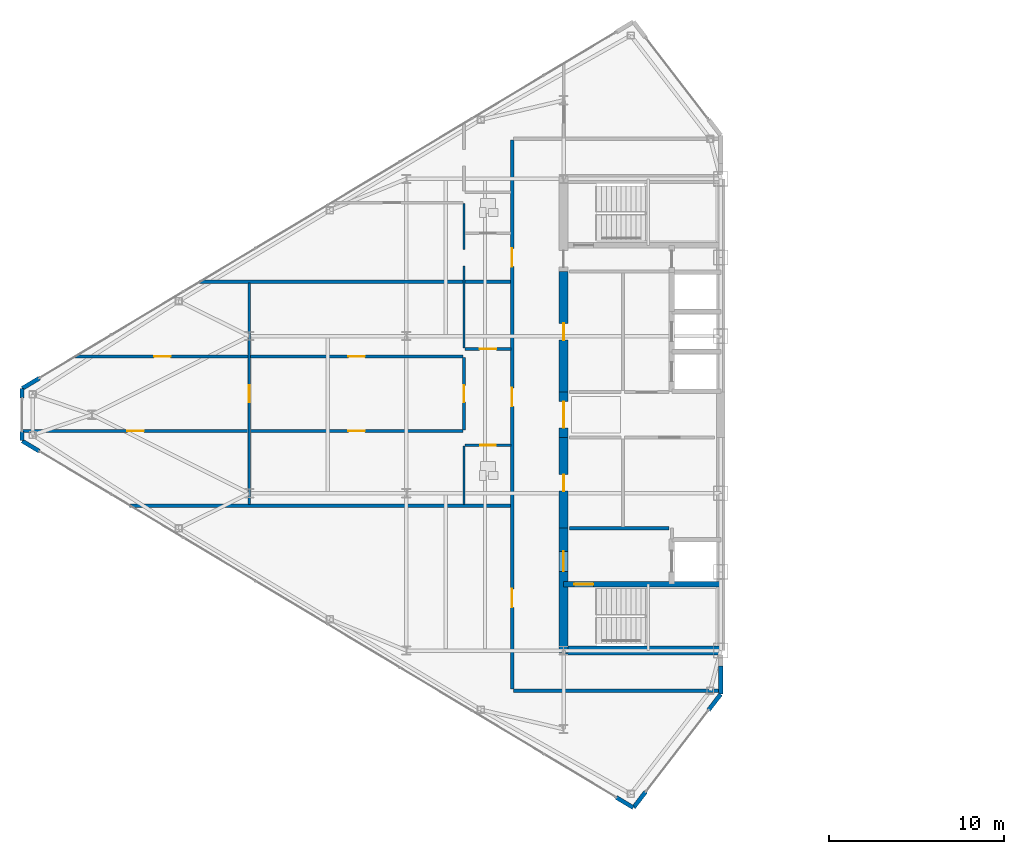
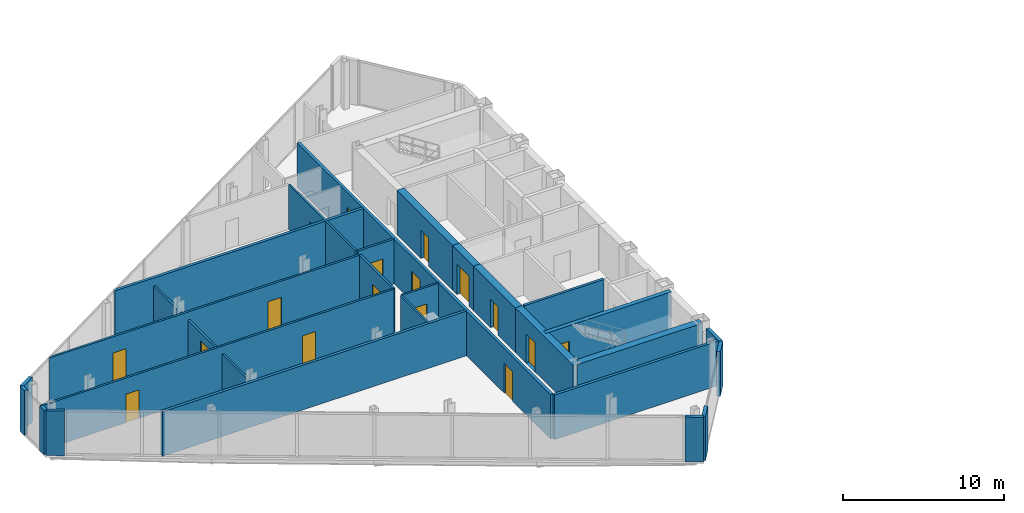
# One storey, part 19 of 25: 27 walls, 16 doors, 17 openings.
"""IFC4 building model written with IfcOpenShell, lengths in metres."""

from ifc_helpers import new_model, si_unit, direction, frame, frame_2d, origin, place, context, subcontext, project, spatial, rectangle, extrude, source, transform, mapped, material, layer, layer_set, type_object, type_shapes, element, fill, save


model = new_model("IFC4")

# Units and contexts
model_context = context("Model", 3, precision=1e-05, world=origin(), true_north=direction((0.0, 1.0)))
body_context = subcontext(model_context, "Body", "Model", "MODEL_VIEW")
ifc_project = project(units=[si_unit("LENGTHUNIT", "METRE"), si_unit("AREAUNIT", "SQUARE_METRE"), si_unit("VOLUMEUNIT", "CUBIC_METRE"), si_unit("PLANEANGLEUNIT", "RADIAN"), si_unit("MASSUNIT", "GRAM", prefix="KILO")], contexts=[model_context])

# Site, building, storey
site_placement = place(None, origin())
site = spatial("IfcSite", under=ifc_project, at=site_placement, CompositionType="ELEMENT")
building_placement = place(site_placement, origin())
building = spatial("IfcBuilding", under=site, at=building_placement, Name="Seokmaru Belvedere", CompositionType="ELEMENT")
storey_placement = place(building_placement, frame((0.0, 0.0, 217.5)))
storey = spatial("IfcBuildingStorey", under=building, at=storey_placement, Name="L58", CompositionType="ELEMENT", Elevation=217.5)

# Wall, openings, doors
ifc_material_1 = material(Name="Fire-Rated Gypsum Shaftwall")
ifc_layer_1 = layer(ifc_material_1, 0.14990234375)
ifc_layer_set_1 = layer_set([ifc_layer_1], Name="Fire-Rated Gypsum Shaftwall")
wall_type_1 = type_object("IfcWallType", Name="Apartment Fire-Acoustic Room Partition 150", PredefinedType="PARTITIONING", material=ifc_layer_set_1)
wall_1_placement = place(storey_placement, frame((-67.534912109375, -0.929931640625, 0.0), z_axis=(0.0, 0.0, 1.0), x_axis=(1.0, 0.0, 0.0)))
wall_1 = element("IfcWall", 1, at=wall_1_placement, inside=storey, type_object=wall_type_1, Name="L58 Interior Partition 008", PredefinedType="PARTITIONING", context=body_context, shape_type="SweptSolid", body=[
    extrude(rectangle(XDim=25.284912109375, YDim=0.14990234375, at=frame_2d((12.642578125, 0.0))), origin(), (0.0, 0.0, 1.0), 3.3798828125),
])
opening_1_placement = place(wall_1_placement, frame((18.7099609375, 0.0, 0.0)))
opening_1 = element("IfcOpeningElement", 2, at=opening_1_placement, cuts=wall_1, Name="Opening D05", PredefinedType="OPENING", context=body_context, shape_type="SweptSolid", body=[
    extrude(rectangle(XDim=0.949951171875, YDim=2.14990234375, at=frame_2d((0.47509765625, 1.074951171875))), frame((0.0, 0.0849609375, 0.0), z_axis=(0.0, -1.0, 0.0), x_axis=(1.0, 0.0, 0.0)), (0.0, 0.0, 1.0), 0.169921875),
])
opening_2_placement = place(wall_1_placement, frame((6.06005859375, 0.0, 0.0)))
opening_2 = element("IfcOpeningElement", 3, at=opening_2_placement, cuts=wall_1, Name="Opening D05", PredefinedType="OPENING", context=body_context, shape_type="SweptSolid", body=[
    extrude(rectangle(XDim=0.949951171875, YDim=2.14990234375, at=frame_2d((0.47509765625, 1.074951171875))), frame((0.0, 0.0849609375, 0.0), z_axis=(0.0, -1.0, 0.0), x_axis=(1.0, 0.0, 0.0)), (0.0, 0.0, 1.0), 0.169921875),
])
ifc_material_2 = material(Name="Engineered White Oak Timber", Category="wood")
door_type_1 = type_object("IfcDoorType", Name="Apartment Interior Fire-Rated Oak Door 950x2150", OperationType="NOTDEFINED", PredefinedType="DOOR", material=ifc_material_2)
shared_shape_1 = source(origin(), body_context, "Body", "SweptSolid", [
    extrude(rectangle(XDim=0.949951171875, YDim=2.14990234375, at=frame_2d((0.47509765625, 1.074951171875))), frame((0.0, 0.02490234375, 0.0), z_axis=(0.0, -1.0, 0.0), x_axis=(1.0, 0.0, 0.0)), (0.0, 0.0, 1.0), 0.050048828125),
])
type_shapes(door_type_1, [shared_shape_1])
door_1_placement = place(opening_1_placement, origin())
door_1 = element("IfcDoor", 4, at=door_1_placement, inside=storey, type_object=door_type_1, Name="L58 Interior Door 007", OperationType="SINGLE_SWING_LEFT", OverallHeight=2.14990234375, OverallWidth=0.949951171875, PredefinedType="DOOR", context=body_context, shape_type="MappedRepresentation", body=[
    mapped(shared_shape_1, transform((0.0, 0.0, 0.0), scale=1.0)),
])
fill(opening_1, door_1)
door_2_placement = place(opening_2_placement, origin())
door_2 = element("IfcDoor", 5, at=door_2_placement, inside=storey, type_object=door_type_1, Name="L58 Interior Door 009", OperationType="SINGLE_SWING_RIGHT", OverallHeight=2.14990234375, OverallWidth=0.949951171875, PredefinedType="DOOR", context=body_context, shape_type="MappedRepresentation", body=[
    mapped(shared_shape_1, transform((0.0, 0.0, 0.0), scale=1.0)),
])
fill(opening_2, door_2)

wall_2_placement = place(storey_placement, frame((-64.47998046875, 3.330078125, 0.0), z_axis=(0.0, 0.0, 1.0), x_axis=(1.0, 0.0, 0.0)))
wall_2 = element("IfcWall", 6, at=wall_2_placement, inside=storey, type_object=wall_type_1, Name="L58 Interior Partition 011", PredefinedType="PARTITIONING", context=body_context, shape_type="SweptSolid", body=[
    extrude(rectangle(XDim=22.22998046875, YDim=0.14990234375, at=frame_2d((11.114990234375, 0.0))), origin(), (0.0, 0.0, 1.0), 3.3798828125),
])
opening_3_placement = place(wall_2_placement, frame((15.655029296875, 0.0, 0.0)))
opening_3 = element("IfcOpeningElement", 7, at=opening_3_placement, cuts=wall_2, Name="Opening D05", PredefinedType="OPENING", context=body_context, shape_type="SweptSolid", body=[
    extrude(rectangle(XDim=0.949951171875, YDim=2.14990234375, at=frame_2d((0.47509765625, 1.074951171875))), frame((0.0, 0.0849609375, 0.0), z_axis=(0.0, -1.0, 0.0), x_axis=(1.0, 0.0, 0.0)), (0.0, 0.0, 1.0), 0.169921875),
])
opening_4_placement = place(wall_2_placement, frame((4.53271484375, 0.0, 0.0)))
opening_4 = element("IfcOpeningElement", 8, at=opening_4_placement, cuts=wall_2, Name="Opening D05", PredefinedType="OPENING", context=body_context, shape_type="SweptSolid", body=[
    extrude(rectangle(XDim=0.949951171875, YDim=2.14990234375, at=frame_2d((0.47509765625, 1.074951171875))), frame((0.0, 0.0849609375, 0.0), z_axis=(0.0, -1.0, 0.0), x_axis=(1.0, 0.0, 0.0)), (0.0, 0.0, 1.0), 0.169921875),
])
door_3_placement = place(opening_3_placement, origin())
door_3 = element("IfcDoor", 9, at=door_3_placement, inside=storey, type_object=door_type_1, Name="L58 Interior Door 008", OperationType="SINGLE_SWING_RIGHT", OverallHeight=2.14990234375, OverallWidth=0.949951171875, PredefinedType="DOOR", context=body_context, shape_type="MappedRepresentation", body=[
    mapped(shared_shape_1, transform((0.0, 0.0, 0.0), scale=1.0)),
])
fill(opening_3, door_3)
door_4_placement = place(opening_4_placement, origin())
door_4 = element("IfcDoor", 10, at=door_4_placement, inside=storey, type_object=door_type_1, Name="L58 Interior Door 010", OperationType="SINGLE_SWING_RIGHT", OverallHeight=2.14990234375, OverallWidth=0.949951171875, PredefinedType="DOOR", context=body_context, shape_type="MappedRepresentation", body=[
    mapped(shared_shape_1, transform((0.0, 0.0, 0.0), scale=1.0)),
])
fill(opening_4, door_4)

# Wall, opening, door
wall_3_placement = place(storey_placement, frame((-42.14990234375, 3.760009765625, 0.0), z_axis=(0.0, 0.0, 1.0), x_axis=(1.0, 0.0, 0.0)))
wall_3 = element("IfcWall", 11, at=wall_3_placement, inside=storey, type_object=wall_type_1, Name="L58 Interior Partition 012", PredefinedType="PARTITIONING", context=body_context, shape_type="SweptSolid", body=[
    extrude(rectangle(XDim=2.64990234375, YDim=0.14990234375, at=frame_2d((1.324951171875, 0.0))), origin(), (0.0, 0.0, 1.0), 3.3798828125),
])
opening_5_placement = place(wall_3_placement, frame((0.85009765625, 0.0, 0.0)))
opening_5 = element("IfcOpeningElement", 12, at=opening_5_placement, cuts=wall_3, Name="Opening D05", PredefinedType="OPENING", context=body_context, shape_type="SweptSolid", body=[
    extrude(rectangle(XDim=0.949951171875, YDim=2.14990234375, at=frame_2d((0.47509765625, 1.074951171875))), frame((0.0, 0.0849609375, 0.0), z_axis=(0.0, -1.0, 0.0), x_axis=(1.0, 0.0, 0.0)), (0.0, 0.0, 1.0), 0.169921875),
])
door_5_placement = place(opening_5_placement, origin())
door_5 = element("IfcDoor", 13, at=door_5_placement, inside=storey, type_object=door_type_1, Name="L58 Interior Door 004", OperationType="SINGLE_SWING_LEFT", OverallHeight=2.14990234375, OverallWidth=0.949951171875, PredefinedType="DOOR", context=body_context, shape_type="MappedRepresentation", body=[
    mapped(shared_shape_1, transform((0.0, 0.0, 0.0), scale=1.0)),
])
fill(opening_5, door_5)

wall_4_placement = place(storey_placement, frame((-54.5, -5.14990234375, 0.0), z_axis=(0.0, 0.0, 1.0), x_axis=(0.0, 1.0, 0.0)))
wall_4 = element("IfcWall", 14, at=wall_4_placement, inside=storey, type_object=wall_type_1, Name="L58 Interior Partition 020", PredefinedType="PARTITIONING", context=body_context, shape_type="SweptSolid", body=[
    extrude(rectangle(XDim=12.699951171875, YDim=0.14990234375, at=frame_2d((6.35009765625, 0.0))), origin(), (0.0, 0.0, 1.0), 2.780029296875),
])
opening_6_placement = place(wall_4_placement, frame((5.875, 0.0, 0.0)))
opening_6 = element("IfcOpeningElement", 15, at=opening_6_placement, cuts=wall_4, Name="Opening D05", PredefinedType="OPENING", context=body_context, shape_type="SweptSolid", body=[
    extrude(rectangle(XDim=0.949951171875, YDim=2.14990234375, at=frame_2d((0.47509765625, 1.074951171875))), frame((0.0, 0.0849609375, 0.0), z_axis=(0.0, -1.0, 0.0), x_axis=(1.0, 0.0, 0.0)), (0.0, 0.0, 1.0), 0.169921875),
])
door_6_placement = place(opening_6_placement, origin())
door_6 = element("IfcDoor", 16, at=door_6_placement, inside=storey, type_object=door_type_1, Name="L58 Interior Door 006", OperationType="SINGLE_SWING_LEFT", OverallHeight=2.14990234375, OverallWidth=0.949951171875, PredefinedType="DOOR", context=body_context, shape_type="MappedRepresentation", body=[
    mapped(shared_shape_1, transform((0.0, 0.0, 0.0), scale=1.0)),
])
fill(opening_6, door_6)

wall_5_placement = place(storey_placement, frame((-42.199951171875, -0.883056640625, 0.0), z_axis=(0.0, 0.0, 1.0), x_axis=(0.0, 1.0, 0.0)))
wall_5 = element("IfcWall", 17, at=wall_5_placement, inside=storey, type_object=wall_type_1, Name="L58 Interior Partition 022", PredefinedType="PARTITIONING", context=body_context, shape_type="SweptSolid", body=[
    extrude(rectangle(XDim=4.166015625, YDim=0.14990234375, at=frame_2d((2.0830078125, 0.0))), origin(), (0.0, 0.0, 1.0), 3.3798828125),
])
opening_7_placement = place(wall_5_placement, frame((1.60791015625, 0.0, 0.0)))
opening_7 = element("IfcOpeningElement", 18, at=opening_7_placement, cuts=wall_5, Name="Opening D05", PredefinedType="OPENING", context=body_context, shape_type="SweptSolid", body=[
    extrude(rectangle(XDim=0.949951171875, YDim=2.14990234375, at=frame_2d((0.47509765625, 1.074951171875))), frame((0.0, 0.0849609375, 0.0), z_axis=(0.0, -1.0, 0.0), x_axis=(1.0, 0.0, 0.0)), (0.0, 0.0, 1.0), 0.169921875),
])
door_7_placement = place(opening_7_placement, origin())
door_7 = element("IfcDoor", 19, at=door_7_placement, inside=storey, type_object=door_type_1, Name="L58 Interior Door 005", OperationType="SINGLE_SWING_RIGHT", OverallHeight=2.14990234375, OverallWidth=0.949951171875, PredefinedType="DOOR", context=body_context, shape_type="MappedRepresentation", body=[
    mapped(shared_shape_1, transform((0.0, 0.0, 0.0), scale=1.0)),
])
fill(opening_7, door_7)

# Walls
ifc_layer_2 = layer(ifc_material_1, 0.179931640625)
ifc_layer_set_2 = layer_set([ifc_layer_2], Name="Fire-Rated Gypsum Shaftwall")
wall_type_2 = type_object("IfcWallType", Name="Core Service Fire Partition 180", PredefinedType="PARTITIONING", material=ifc_layer_set_2)
wall_6_placement = place(storey_placement, frame((-36.14990234375, -6.5, 0.0), z_axis=(0.0, 0.0, 1.0), x_axis=(1.0, 0.0, 0.0)))
element("IfcWall", 20, at=wall_6_placement, inside=storey, type_object=wall_type_2, Name="L58 West Firefighting Lobby Partition", PredefinedType="PARTITIONING", context=body_context, shape_type="SweptSolid", body=[
    extrude(rectangle(XDim=5.699951171875, YDim=0.179931640625, at=frame_2d((2.85009765625, 0.0))), origin(), (0.0, 0.0, 1.0), 3.3798828125),
])
ifc_layer_3 = layer(ifc_material_1, 0.199951171875)
ifc_layer_set_3 = layer_set([ifc_layer_3], Name="Fire-Rated Gypsum Shaftwall")
wall_type_3 = type_object("IfcWallType", Name="Inter-Tenancy Fire Compartment Partition 200", PredefinedType="PARTITIONING", material=ifc_layer_set_3)
wall_7_placement = place(storey_placement, frame((-39.364990234375, -15.800048828125, 0.0), z_axis=(0.0, 0.0, 1.0), x_axis=(1.0, 0.0, 0.0)))
element("IfcWall", 21, at=wall_7_placement, inside=storey, type_object=wall_type_3, Name="L58 Interior Partition 001", PredefinedType="PARTITIONING", context=body_context, shape_type="SweptSolid", body=[
    extrude(rectangle(XDim=11.739990234375, YDim=0.199951171875, at=frame_2d((5.8701171875, 0.0))), origin(), (0.0, 0.0, 1.0), 3.3798828125),
])
wall_8_placement = place(storey_placement, frame((-61.343017578125, -5.199951171875, 0.0), z_axis=(0.0, 0.0, 1.0), x_axis=(1.0, 0.0, 0.0)))
element("IfcWall", 22, at=wall_8_placement, inside=storey, type_object=wall_type_3, Name="L58 Interior Partition 004", PredefinedType="PARTITIONING", context=body_context, shape_type="SweptSolid", body=[
    extrude(rectangle(XDim=21.81298828125, YDim=0.199951171875, at=frame_2d((10.906494140625, 0.0))), origin(), (0.0, 0.0, 1.0), 3.3798828125),
])
wall_9_placement = place(storey_placement, frame((-57.343017578125, 7.60009765625, 0.0), z_axis=(0.0, 0.0, 1.0), x_axis=(1.0, 0.0, 0.0)))
element("IfcWall", 23, at=wall_9_placement, inside=storey, type_object=wall_type_3, Name="L58 Interior Partition 014", PredefinedType="PARTITIONING", context=body_context, shape_type="SweptSolid", body=[
    extrude(rectangle(XDim=17.81298828125, YDim=0.199951171875, at=frame_2d((8.906494140625, 0.0))), origin(), (0.0, 0.0, 1.0), 3.3798828125),
])

# Wall, openings, doors
wall_10_placement = place(storey_placement, frame((-39.449951171875, -15.715087890625, 0.0), z_axis=(0.0, 0.0, 1.0), x_axis=(0.0, 1.0, 0.0)))
wall_10 = element("IfcWall", 24, at=wall_10_placement, inside=storey, type_object=wall_type_3, Name="L58 Interior Partition 025", PredefinedType="PARTITIONING", context=body_context, shape_type="SweptSolid", body=[
    extrude(rectangle(XDim=31.43017578125, YDim=0.199951171875, at=frame_2d((15.715087890625, 0.0))), origin(), (0.0, 0.0, 1.0), 3.3798828125),
])
opening_8_placement = place(wall_10_placement, frame((4.68994140625, 0.0, 0.0)))
opening_8 = element("IfcOpeningElement", 25, at=opening_8_placement, cuts=wall_10, Name="Opening D03", PredefinedType="OPENING", context=body_context, shape_type="SweptSolid", body=[
    extrude(rectangle(XDim=1.050048828125, YDim=2.25, at=frame_2d((0.52490234375, 1.125))), frame((0.0, 0.10986328125, 0.0), z_axis=(0.0, -1.0, 0.0), x_axis=(1.0, 0.0, 0.0)), (0.0, 0.0, 1.0), 0.219970703125),
])
opening_9_placement = place(wall_10_placement, frame((16.197998046875, 0.0, 0.0)))
opening_9 = element("IfcOpeningElement", 26, at=opening_9_placement, cuts=wall_10, Name="Opening D03", PredefinedType="OPENING", context=body_context, shape_type="SweptSolid", body=[
    extrude(rectangle(XDim=1.050048828125, YDim=2.25, at=frame_2d((0.52490234375, 1.125))), frame((0.0, 0.10986328125, 0.0), z_axis=(0.0, -1.0, 0.0), x_axis=(1.0, 0.0, 0.0)), (0.0, 0.0, 1.0), 0.219970703125),
])
opening_10_placement = place(wall_10_placement, frame((24.1875, 0.0, 0.0)))
opening_10 = element("IfcOpeningElement", 27, at=opening_10_placement, cuts=wall_10, Name="Opening D03", PredefinedType="OPENING", context=body_context, shape_type="SweptSolid", body=[
    extrude(rectangle(XDim=1.050048828125, YDim=2.25, at=frame_2d((0.52490234375, 1.125))), frame((0.0, 0.10986328125, 0.0), z_axis=(0.0, -1.0, 0.0), x_axis=(1.0, 0.0, 0.0)), (0.0, 0.0, 1.0), 0.219970703125),
])
ifc_material_3 = material(Name="Fire-Rated Steel Leaf", Category="steel")
door_type_2 = type_object("IfcDoorType", Name="Apartment Entrance Fire Door 1050x2250", OperationType="NOTDEFINED", PredefinedType="DOOR", material=ifc_material_3)
shared_shape_2 = source(origin(), body_context, "Body", "SweptSolid", [
    extrude(rectangle(XDim=1.050048828125, YDim=2.25, at=frame_2d((0.52490234375, 1.125))), frame((0.0, 0.02490234375, 0.0), z_axis=(0.0, -1.0, 0.0), x_axis=(1.0, 0.0, 0.0)), (0.0, 0.0, 1.0), 0.050048828125),
])
type_shapes(door_type_2, [shared_shape_2])
door_8_placement = place(opening_8_placement, origin())
door_8 = element("IfcDoor", 28, at=door_8_placement, inside=storey, type_object=door_type_2, Name="L58 Interior Door 001", OperationType="SINGLE_SWING_RIGHT", OverallHeight=2.25, OverallWidth=1.050048828125, PredefinedType="DOOR", context=body_context, shape_type="MappedRepresentation", body=[
    mapped(shared_shape_2, transform((0.0, 0.0, 0.0), scale=1.0)),
])
fill(opening_8, door_8)
door_9_placement = place(opening_9_placement, origin())
door_9 = element("IfcDoor", 29, at=door_9_placement, inside=storey, type_object=door_type_2, Name="L58 Interior Door 002", OperationType="SINGLE_SWING_LEFT", OverallHeight=2.25, OverallWidth=1.050048828125, PredefinedType="DOOR", context=body_context, shape_type="MappedRepresentation", body=[
    mapped(shared_shape_2, transform((0.0, 0.0, 0.0), scale=1.0)),
])
fill(opening_9, door_9)
door_10_placement = place(opening_10_placement, origin())
door_10 = element("IfcDoor", 30, at=door_10_placement, inside=storey, type_object=door_type_2, Name="L58 Interior Door 011", OperationType="SINGLE_SWING_RIGHT", OverallHeight=2.25, OverallWidth=1.050048828125, PredefinedType="DOOR", context=body_context, shape_type="MappedRepresentation", body=[
    mapped(shared_shape_2, transform((0.0, 0.0, 0.0), scale=1.0)),
])
fill(opening_10, door_10)

# Wall, opening, door
ifc_material_4 = material(Name="Concrete C50 (50 MPa)", Category="concrete")
ifc_layer_4 = layer(ifc_material_4, 0.300048828125)
ifc_layer_set_4 = layer_set([ifc_layer_4], Name="Concrete C50 (50 MPa)")
wall_type_4 = type_object("IfcWallType", Name="Internal Core Stair and Hoistway Wall 300", PredefinedType="SHEAR", material=ifc_layer_set_4)
wall_11_placement = place(storey_placement, frame((-36.5, -9.699951171875, 0.0), z_axis=(0.0, 0.0, 1.0), x_axis=(1.0, 0.0, 0.0)))
wall_11 = element("IfcWall", 31, at=wall_11_placement, inside=storey, type_object=wall_type_4, Name="L58 West Stair ST-1 Enclosure Wall", PredefinedType="SHEAR", context=body_context, shape_type="SweptSolid", body=[
    extrude(rectangle(XDim=9.0, YDim=0.300048828125, at=frame_2d((4.5, 0.0))), origin(), (0.0, 0.0, 1.0), 3.3798828125),
])
opening_11_placement = place(wall_11_placement, frame((0.60009765625, 0.0, 0.0)))
opening_11 = element("IfcOpeningElement", 32, at=opening_11_placement, cuts=wall_11, Name="Opening D01", PredefinedType="OPENING", context=body_context, shape_type="SweptSolid", body=[
    extrude(rectangle(XDim=1.10009765625, YDim=2.199951171875, at=frame_2d((0.550048828125, 1.10009765625))), frame((0.0, 0.16015625, 0.0), z_axis=(0.0, -1.0, 0.0), x_axis=(1.0, 0.0, 0.0)), (0.0, 0.0, 1.0), 0.320068359375),
])
door_type_3 = type_object("IfcDoorType", Name="Special Escape Stair Smokeproof Fire Door 1100x2200", OperationType="NOTDEFINED", PredefinedType="DOOR", material=ifc_material_3)
shared_shape_3 = source(origin(), body_context, "Body", "SweptSolid", [
    extrude(rectangle(XDim=1.10009765625, YDim=2.199951171875, at=frame_2d((0.550048828125, 1.10009765625))), frame((0.0, 0.02490234375, 0.0), z_axis=(0.0, -1.0, 0.0), x_axis=(1.0, 0.0, 0.0)), (0.0, 0.0, 1.0), 0.050048828125),
])
type_shapes(door_type_3, [shared_shape_3])
door_11_placement = place(opening_11_placement, frame((1.10009765625, 0.0, 0.0), z_axis=(0.0, 0.0, 1.0), x_axis=(-1.0, 0.0, 0.0)))
door_11 = element("IfcDoor", 33, at=door_11_placement, inside=storey, type_object=door_type_3, Name="L58 West Special Escape Stair ST-1 Door", OperationType="SINGLE_SWING_LEFT", OverallHeight=2.199951171875, OverallWidth=1.10009765625, PredefinedType="DOOR", context=body_context, shape_type="MappedRepresentation", body=[
    mapped(shared_shape_3, transform((0.0, 0.0, 0.0), scale=1.0)),
])
fill(opening_11, door_11)

ifc_layer_5 = layer(ifc_material_1, 0.1298828125)
ifc_layer_set_5 = layer_set([ifc_layer_5], Name="Fire-Rated Gypsum Shaftwall")
wall_type_5 = type_object("IfcWallType", Name="Moisture-Resistant Fire-Rated Bathroom Partition 130", PredefinedType="PARTITIONING", material=ifc_layer_set_5)
wall_12_placement = place(storey_placement, frame((-42.14990234375, -1.75, 0.0), z_axis=(0.0, 0.0, 1.0), x_axis=(1.0, 0.0, 0.0)))
wall_12 = element("IfcWall", 34, at=wall_12_placement, inside=storey, type_object=wall_type_5, Name="L58 Interior Partition 007", PredefinedType="PARTITIONING", context=body_context, shape_type="SweptSolid", body=[
    extrude(rectangle(XDim=2.64990234375, YDim=0.1298828125, at=frame_2d((1.324951171875, 0.0))), origin(), (0.0, 0.0, 1.0), 3.3798828125),
])
opening_12_placement = place(wall_12_placement, frame((0.885009765625, 0.0, 0.0)))
opening_12 = element("IfcOpeningElement", 35, at=opening_12_placement, cuts=wall_12, Name="Opening D06", PredefinedType="OPENING", context=body_context, shape_type="SweptSolid", body=[
    extrude(rectangle(XDim=0.8798828125, YDim=2.10009765625, at=frame_2d((0.43994140625, 1.050048828125))), frame((0.0, 0.074951171875, 0.0), z_axis=(0.0, -1.0, 0.0), x_axis=(1.0, 0.0, 0.0)), (0.0, 0.0, 1.0), 0.14990234375),
])
door_type_4 = type_object("IfcDoorType", Name="Bathroom and Restroom Fire-Rated Door 880x2100", OperationType="NOTDEFINED", PredefinedType="DOOR", material=ifc_material_2)
shared_shape_4 = source(origin(), body_context, "Body", "SweptSolid", [
    extrude(rectangle(XDim=0.8798828125, YDim=2.10009765625, at=frame_2d((0.43994140625, 1.050048828125))), frame((0.0, 0.02490234375, 0.0), z_axis=(0.0, -1.0, 0.0), x_axis=(1.0, 0.0, 0.0)), (0.0, 0.0, 1.0), 0.050048828125),
])
type_shapes(door_type_4, [shared_shape_4])
door_12_placement = place(opening_12_placement, origin())
door_12 = element("IfcDoor", 36, at=door_12_placement, inside=storey, type_object=door_type_4, Name="L58 Interior Door 003", OperationType="SINGLE_SWING_LEFT", OverallHeight=2.10009765625, OverallWidth=0.8798828125, PredefinedType="DOOR", context=body_context, shape_type="MappedRepresentation", body=[
    mapped(shared_shape_4, transform((0.0, 0.0, 0.0), scale=1.0)),
])
fill(opening_12, door_12)

# Wall
wall_13_placement = place(storey_placement, frame((-42.199951171875, -5.14990234375, 0.0), z_axis=(0.0, 0.0, 1.0), x_axis=(0.0, 1.0, 0.0)))
element("IfcWall", 37, at=wall_13_placement, inside=storey, type_object=wall_type_5, Name="L58 Interior Partition 021", PredefinedType="PARTITIONING", context=body_context, shape_type="SweptSolid", body=[
    extrude(rectangle(XDim=3.35400390625, YDim=0.1298828125, at=frame_2d((1.677001953125, 0.0))), origin(), (0.0, 0.0, 1.0), 3.3798828125),
])

# Wall, opening
wall_14_placement = place(storey_placement, frame((-42.199951171875, 3.81201171875, 0.0), z_axis=(0.0, 0.0, 1.0), x_axis=(0.0, 1.0, 0.0)))
wall_14 = element("IfcWall", 38, at=wall_14_placement, inside=storey, type_object=wall_type_5, Name="L58 Interior Partition 023", PredefinedType="PARTITIONING", context=body_context, shape_type="SweptSolid", body=[
    extrude(rectangle(XDim=8.278076171875, YDim=0.1298828125, at=frame_2d((4.13916015625, 0.0))), origin(), (0.0, 0.0, 1.0), 3.3798828125),
])
opening_13_placement = place(wall_14_placement, frame((4.71044921875, 0.0, 0.0)))
element("IfcOpeningElement", 39, at=opening_13_placement, cuts=wall_14, Name="L58 Cased Opening 013", PredefinedType="OPENING", context=body_context, shape_type="SweptSolid", body=[
    extrude(rectangle(XDim=0.949951171875, YDim=2.14990234375, at=frame_2d((0.47509765625, 1.074951171875))), frame((0.0, 0.074951171875, 0.0), z_axis=(0.0, -1.0, 0.0), x_axis=(1.0, 0.0, 0.0)), (0.0, 0.0, 1.0), 0.14990234375),
])

# Walls
ifc_material_5 = material(Name="Anodised Bronze Aluminium", Category="aluminium")
ifc_layer_6 = layer(ifc_material_5, 0.239990234375)
ifc_layer_set_6 = layer_set([ifc_layer_6], Name="Anodised Bronze Aluminium")
wall_type_6 = type_object("IfcWallType", Name="Tower Corner Spandrel Closure Wall 240", PredefinedType="SOLIDWALL", material=ifc_layer_set_6)
wall_15_placement = place(storey_placement, frame((-27.5, -15.97998046875, 0.0), z_axis=(0.0, 0.0, 1.0), x_axis=(0.0, 1.0, 0.0)))
element("IfcWall", 40, at=wall_15_placement, inside=storey, type_object=wall_type_6, Name="L58 W Shoulder Closure Wall 1", PredefinedType="SOLIDWALL", context=body_context, shape_type="SweptSolid", body=[
    extrude(rectangle(XDim=1.605224609375, YDim=0.239990234375, at=frame_2d((0.802734375, 0.0))), origin(), (0.0, 0.0, 1.0), 3.3798828125),
])
wall_16_placement = place(storey_placement, frame((-66.513916015625, 2.091796875, 0.0), z_axis=(0.0, 0.0, 1.0), x_axis=(-0.85743623509, -0.514590228002, 0.0)))
element("IfcWall", 41, at=wall_16_placement, inside=storey, type_object=wall_type_6, Name="L58 W Corner Closure Pier 3B", PredefinedType="SOLIDWALL", context=body_context, shape_type="SweptSolid", body=[
    extrude(rectangle(XDim=1.14013671875, YDim=0.239990234375, at=frame_2d((0.570068359375, 0.0))), origin(), (0.0, 0.0, 1.0), 3.3798828125),
])
for number, where, z_axis, x_axis, name in (
    (42, (-67.5, 1.489990234375, 0.0), (0.0, 0.0, 1.0), (0.0, -1.0, 0.0), "L58 W Apex Closure Pier 4A"),
    (43, (-67.5, -0.949951171875, 0.0), (0.0, 0.0, 1.0), (0.0, -1.0, 0.0), "L58 W Apex Closure Pier 4B"),
):
    element("IfcWall", number, at=place(storey_placement, frame(where, z_axis=z_axis, x_axis=x_axis)), inside=storey, type_object=wall_type_6, Name=name, PredefinedType="SOLIDWALL", context=body_context, shape_type="SweptSolid", body=[
        extrude(rectangle(XDim=0.5400390625, YDim=0.239990234375, at=frame_2d((0.27001953125, 0.0))), origin(), (0.0, 0.0, 1.0), 3.3798828125),
    ])
for number, where, z_axis, x_axis, name in (
    (44, (-67.491455078125, -1.505126953125, 0.0), (0.0, 0.0, 1.0), (0.85743623509, -0.514590228002, 0.0), "L58 W Corner Closure Pier 5A"),
    (45, (-33.486083984375, -21.908203125, 0.0), (0.0, 0.0, 1.0), (0.85743623509, -0.514590228002, 0.0), "L58 W Corner Closure Pier 5B"),
    (46, (-32.493896484375, -22.4921875, 0.0), (0.0, 0.0, 1.0), (0.609617623633, 0.792695624408, 0.0), "L58 W Corner Closure Pier 6A"),
    (47, (-28.201171875, -16.91162109375, 0.0), (0.0, 0.0, 1.0), (0.609617623633, 0.792695624408, 0.0), "L58 W Corner Closure Pier 6B"),
):
    element("IfcWall", number, at=place(storey_placement, frame(where, z_axis=z_axis, x_axis=x_axis)), inside=storey, type_object=wall_type_6, Name=name, PredefinedType="SOLIDWALL", context=body_context, shape_type="SweptSolid", body=[
        extrude(rectangle(XDim=1.14013671875, YDim=0.239990234375, at=frame_2d((0.570068359375, 0.0))), origin(), (0.0, 0.0, 1.0), 3.3798828125),
    ])
ifc_layer_7 = layer(ifc_material_4, 0.5)
ifc_layer_set_7 = layer_set([ifc_layer_7], Name="Concrete C50 (50 MPa)")
wall_type_7 = type_object("IfcWallType", Name="Upper Tower Reinforced Concrete Core Wall 500", PredefinedType="SHEAR", material=ifc_layer_set_7)
wall_17_placement = place(storey_placement, frame((-36.5, -13.5, 0.0), z_axis=(0.0, 0.0, 1.0), x_axis=(1.0, 0.0, 0.0)))
element("IfcWall", 48, at=wall_17_placement, inside=storey, type_object=wall_type_7, Name="L58 West South Core Wall", PredefinedType="SHEAR", context=body_context, shape_type="SweptSolid", body=[
    extrude(rectangle(XDim=9.0, YDim=0.5, at=frame_2d((4.5, 0.0))), origin(), (0.0, 0.0, 1.0), 3.3798828125),
])

# Wall, opening, door
wall_18_placement = place(storey_placement, frame((-36.5, -13.64990234375, 0.0), z_axis=(0.0, 0.0, 1.0), x_axis=(0.0, 1.0, 0.0)))
wall_18 = element("IfcWall", 49, at=wall_18_placement, inside=storey, type_object=wall_type_7, Name="L58 West West Core Wall FF", PredefinedType="SHEAR", context=body_context, shape_type="SweptSolid", body=[
    extrude(rectangle(XDim=7.14990234375, YDim=0.5, at=frame_2d((3.574951171875, 0.0))), origin(), (0.0, 0.0, 1.0), 3.3798828125),
])
opening_14_placement = place(wall_18_placement, frame((4.675048828125, 0.0, 0.0)))
opening_14 = element("IfcOpeningElement", 50, at=opening_14_placement, cuts=wall_18, Name="Opening D02", PredefinedType="OPENING", context=body_context, shape_type="SweptSolid", body=[
    extrude(rectangle(XDim=1.14990234375, YDim=2.199951171875, at=frame_2d((0.574951171875, 1.10009765625))), frame((0.0, 0.260009765625, 0.0), z_axis=(0.0, -1.0, 0.0), x_axis=(1.0, 0.0, 0.0)), (0.0, 0.0, 1.0), 0.52001953125),
])
door_type_5 = type_object("IfcDoorType", Name="Lobby and Vestibule Fire Door 1150x2200", OperationType="NOTDEFINED", PredefinedType="DOOR", material=ifc_material_3)
shared_shape_5 = source(origin(), body_context, "Body", "SweptSolid", [
    extrude(rectangle(XDim=1.14990234375, YDim=2.199951171875, at=frame_2d((0.574951171875, 1.10009765625))), frame((0.0, 0.02490234375, 0.0), z_axis=(0.0, -1.0, 0.0), x_axis=(1.0, 0.0, 0.0)), (0.0, 0.0, 1.0), 0.050048828125),
])
type_shapes(door_type_5, [shared_shape_5])
door_13_placement = place(opening_14_placement, frame((1.14990234375, 0.0, 0.0), z_axis=(0.0, 0.0, 1.0), x_axis=(-1.0, 0.0, 0.0)))
door_13 = element("IfcDoor", 51, at=door_13_placement, inside=storey, type_object=door_type_5, Name="L58 West Firefighting Lobby Door", OperationType="SINGLE_SWING_LEFT", OverallHeight=2.199951171875, OverallWidth=1.14990234375, PredefinedType="DOOR", context=body_context, shape_type="MappedRepresentation", body=[
    mapped(shared_shape_5, transform((0.0, 0.0, 0.0), scale=1.0)),
])
fill(opening_14, door_13)

wall_19_placement = place(storey_placement, frame((-36.5, -1.300048828125, 0.0), z_axis=(0.0, 0.0, 1.0), x_axis=(0.0, 1.0, 0.0)))
wall_19 = element("IfcWall", 52, at=wall_19_placement, inside=storey, type_object=wall_type_7, Name="L58 West West Core Wall FOY", PredefinedType="SHEAR", context=body_context, shape_type="SweptSolid", body=[
    extrude(rectangle(XDim=2.60009765625, YDim=0.5, at=frame_2d((1.300048828125, 0.0))), origin(), (0.0, 0.0, 1.0), 3.3798828125),
])
opening_15_placement = place(wall_19_placement, frame((0.550048828125, 0.0, 0.0)))
opening_15 = element("IfcOpeningElement", 53, at=opening_15_placement, cuts=wall_19, Name="Opening D08", PredefinedType="OPENING", context=body_context, shape_type="SweptSolid", body=[
    extrude(rectangle(XDim=1.5, YDim=2.300048828125, at=frame_2d((0.75, 1.14990234375))), frame((0.0, 0.260009765625, 0.0), z_axis=(0.0, -1.0, 0.0), x_axis=(1.0, 0.0, 0.0)), (0.0, 0.0, 1.0), 0.52001953125),
])
door_type_6 = type_object("IfcDoorType", Name="Cross-Corridor Compartment Double Fire Door 1500x2300", OperationType="DOUBLE_SWING_LEFT", PredefinedType="DOOR", material=ifc_material_3)
shared_shape_6 = source(origin(), body_context, "Body", "SweptSolid", [
    extrude(rectangle(XDim=1.5, YDim=2.300048828125, at=frame_2d((0.75, 1.14990234375))), frame((0.0, 0.02490234375, 0.0), z_axis=(0.0, -1.0, 0.0), x_axis=(1.0, 0.0, 0.0)), (0.0, 0.0, 1.0), 0.050048828125),
])
type_shapes(door_type_6, [shared_shape_6])
door_14_placement = place(opening_15_placement, origin())
door_14 = element("IfcDoor", 54, at=door_14_placement, inside=storey, type_object=door_type_6, Name="L58 West Core Foyer Compartment Door", OperationType="DOUBLE_SWING_LEFT", OverallHeight=2.300048828125, OverallWidth=1.5, PredefinedType="DOOR", context=body_context, shape_type="MappedRepresentation", body=[
    mapped(shared_shape_6, transform((0.0, 0.0, 0.0), scale=1.0)),
])
fill(opening_15, door_14)

wall_20_placement = place(storey_placement, frame((-36.5, -6.5, 0.0), z_axis=(0.0, 0.0, 1.0), x_axis=(0.0, 1.0, 0.0)))
wall_20 = element("IfcWall", 55, at=wall_20_placement, inside=storey, type_object=wall_type_7, Name="L58 West West Core Wall CS1", PredefinedType="SHEAR", context=body_context, shape_type="SweptSolid", body=[
    extrude(rectangle(XDim=5.199951171875, YDim=0.5, at=frame_2d((2.60009765625, 0.0))), origin(), (0.0, 0.0, 1.0), 3.3798828125),
])
opening_16_placement = place(wall_20_placement, frame((2.125, 0.0, 0.0)))
opening_16 = element("IfcOpeningElement", 56, at=opening_16_placement, cuts=wall_20, Name="Opening D04", PredefinedType="OPENING", context=body_context, shape_type="SweptSolid", body=[
    extrude(rectangle(XDim=0.949951171875, YDim=2.14990234375, at=frame_2d((0.47509765625, 1.074951171875))), frame((0.0, 0.260009765625, 0.0), z_axis=(0.0, -1.0, 0.0), x_axis=(1.0, 0.0, 0.0)), (0.0, 0.0, 1.0), 0.52001953125),
])
door_type_7 = type_object("IfcDoorType", Name="Core Service Room Fire Door 950x2150", OperationType="NOTDEFINED", PredefinedType="DOOR", material=ifc_material_3)
shared_shape_7 = source(origin(), body_context, "Body", "SweptSolid", [
    extrude(rectangle(XDim=0.949951171875, YDim=2.14990234375, at=frame_2d((0.47509765625, 1.074951171875))), frame((0.0, 0.02490234375, 0.0), z_axis=(0.0, -1.0, 0.0), x_axis=(1.0, 0.0, 0.0)), (0.0, 0.0, 1.0), 0.050048828125),
])
type_shapes(door_type_7, [shared_shape_7])
door_15_placement = place(opening_16_placement, origin())
door_15 = element("IfcDoor", 57, at=door_15_placement, inside=storey, type_object=door_type_7, Name="L58 West Core Service Room Door 1", OperationType="SINGLE_SWING_LEFT", OverallHeight=2.14990234375, OverallWidth=0.949951171875, PredefinedType="DOOR", context=body_context, shape_type="MappedRepresentation", body=[
    mapped(shared_shape_7, transform((0.0, 0.0, 0.0), scale=1.0)),
])
fill(opening_16, door_15)

wall_21_placement = place(storey_placement, frame((-36.5, 1.300048828125, 0.0), z_axis=(0.0, 0.0, 1.0), x_axis=(0.0, 1.0, 0.0)))
wall_21 = element("IfcWall", 58, at=wall_21_placement, inside=storey, type_object=wall_type_7, Name="L58 West West Core Wall CS2", PredefinedType="SHEAR", context=body_context, shape_type="SweptSolid", body=[
    extrude(rectangle(XDim=6.89990234375, YDim=0.5, at=frame_2d((3.449951171875, 0.0))), origin(), (0.0, 0.0, 1.0), 3.3798828125),
])
opening_17_placement = place(wall_21_placement, frame((2.97509765625, 0.0, 0.0)))
opening_17 = element("IfcOpeningElement", 59, at=opening_17_placement, cuts=wall_21, Name="Opening D04", PredefinedType="OPENING", context=body_context, shape_type="SweptSolid", body=[
    extrude(rectangle(XDim=0.949951171875, YDim=2.14990234375, at=frame_2d((0.47509765625, 1.074951171875))), frame((0.0, 0.260009765625, 0.0), z_axis=(0.0, -1.0, 0.0), x_axis=(1.0, 0.0, 0.0)), (0.0, 0.0, 1.0), 0.52001953125),
])
door_16_placement = place(opening_17_placement, origin())
door_16 = element("IfcDoor", 60, at=door_16_placement, inside=storey, type_object=door_type_7, Name="L58 West Core Service Room Door 2", OperationType="SINGLE_SWING_RIGHT", OverallHeight=2.14990234375, OverallWidth=0.949951171875, PredefinedType="DOOR", context=body_context, shape_type="MappedRepresentation", body=[
    mapped(shared_shape_7, transform((0.0, 0.0, 0.0), scale=1.0)),
])
fill(opening_17, door_16)

save(model, "model.ifc")
